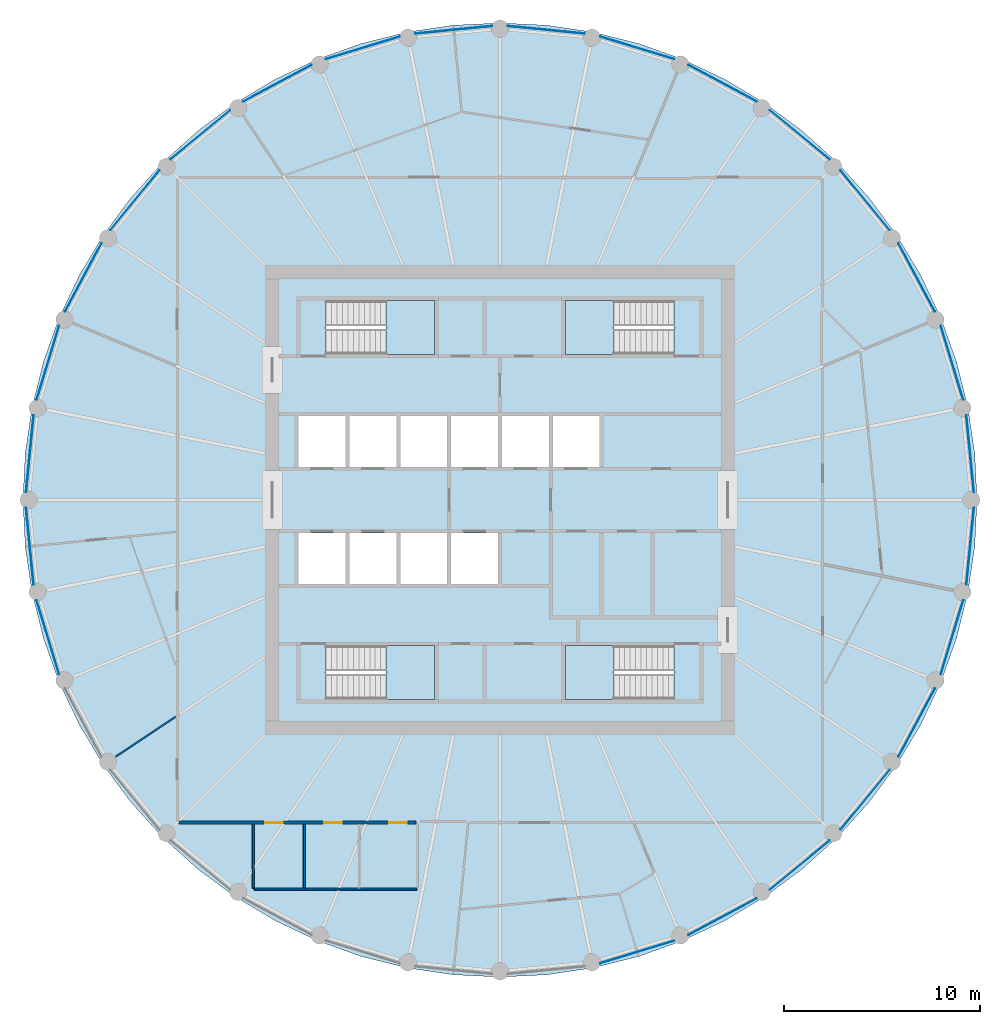
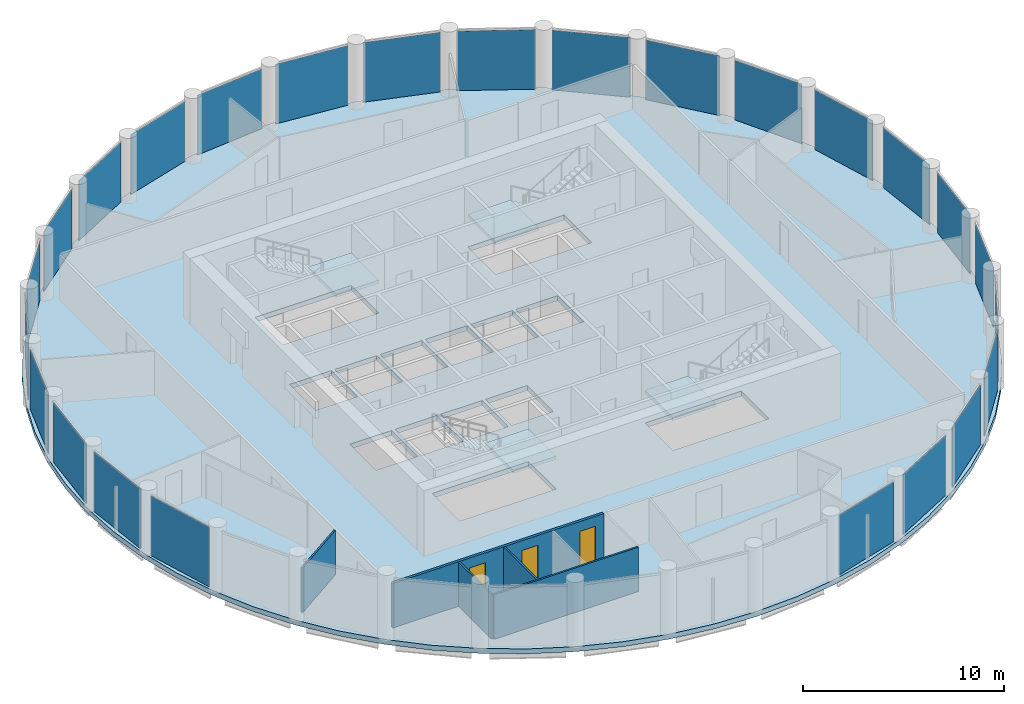
# One storey, part 3 of 8: 25 plates, 5 slabs, 5 walls, 3 doors, 3 openings, 29 elements without a shape of their own.
"""IFC4 building model written with IfcOpenShell, lengths in metres."""

from ifc_helpers import new_model, si_unit, direction, frame, frame_2d, origin, origin_2d, place, context, subcontext, project, spatial, polyline, rectangle, outline, extrude, material, layer, layer_set, type_object, element, fill, aggregate, save


model = new_model("IFC4")

# Units and contexts
model_context = context("Model", 3, precision=1e-05, world=origin(), true_north=direction((0.0, 1.0)))
body_context = subcontext(model_context, "Body", "Model", "MODEL_VIEW")
ifc_project = project(units=[si_unit("LENGTHUNIT", "METRE"), si_unit("AREAUNIT", "SQUARE_METRE"), si_unit("VOLUMEUNIT", "CUBIC_METRE"), si_unit("PLANEANGLEUNIT", "RADIAN"), si_unit("MASSUNIT", "GRAM", prefix="KILO")], contexts=[model_context])

# Site, building, storey
site_placement = place(None, origin())
site = spatial("IfcSite", under=ifc_project, at=site_placement, CompositionType="ELEMENT")
building_placement = place(site_placement, origin())
building = spatial("IfcBuilding", under=site, at=building_placement, Name="Corvane Civic Tower", CompositionType="ELEMENT")
storey_placement = place(building_placement, frame((0.0, 0.0, 299.0)))
storey = spatial("IfcBuildingStorey", under=building, at=storey_placement, Name="L71", CompositionType="ELEMENT", Elevation=299.0)

# Slab
ifc_material_1 = material(Name="Concrete C40/50", Category="concrete")
ifc_layer_1 = layer(ifc_material_1, 0.300048828125)
ifc_layer_set_1 = layer_set([ifc_layer_1], Name="Concrete C40/50")
slab_type_1 = type_object("IfcSlabType", Name="FLOOR SLAB 300", PredefinedType="FLOOR", material=ifc_layer_set_1)
slab_1_placement = place(storey_placement, frame((0.0, 0.0, -0.300048828125)))
element("IfcSlab", 1, at=slab_1_placement, inside=storey, type_object=slab_type_1, Name="SLB-L71", PredefinedType="FLOOR", context=body_context, shape_type="SweptSolid", body=[
    extrude(outline(polyline([(0.0, 24.39990234375), (-2.3916015625, 24.282470703125), (-4.76025390625, 23.93115234375), (-7.0830078125, 23.349365234375), (-9.33740234375, 22.542724609375), (-11.502197265625, 21.518798828125), (-13.555908203125, 20.287841796875), (-15.479248046875, 18.861572265625), (-17.25341796875, 17.25341796875), (-18.861572265625, 15.479248046875), (-20.287841796875, 13.555908203125), (-21.518798828125, 11.502197265625), (-22.542724609375, 9.33740234375), (-23.349365234375, 7.0830078125), (-23.93115234375, 4.76025390625), (-24.282470703125, 2.3916015625), (-24.39990234375, 0.0), (-24.282470703125, -2.3916015625), (-23.93115234375, -4.76025390625), (-23.349365234375, -7.0830078125), (-22.542724609375, -9.33740234375), (-21.518798828125, -11.502197265625), (-20.287841796875, -13.555908203125), (-18.861572265625, -15.479248046875), (-17.25341796875, -17.25341796875), (-15.479248046875, -18.861572265625), (-13.555908203125, -20.287841796875), (-11.502197265625, -21.518798828125), (-9.33740234375, -22.542724609375), (-7.0830078125, -23.349365234375), (-4.76025390625, -23.93115234375), (-2.3916015625, -24.282470703125), (0.0, -24.39990234375), (2.3916015625, -24.282470703125), (4.76025390625, -23.93115234375), (7.0830078125, -23.349365234375), (9.33740234375, -22.542724609375), (11.502197265625, -21.518798828125), (13.555908203125, -20.287841796875), (15.479248046875, -18.861572265625), (17.25341796875, -17.25341796875), (18.861572265625, -15.479248046875), (20.287841796875, -13.555908203125), (21.518798828125, -11.502197265625), (22.542724609375, -9.33740234375), (23.349365234375, -7.0830078125), (23.93115234375, -4.76025390625), (24.282470703125, -2.3916015625), (24.39990234375, 0.0), (24.282470703125, 2.3916015625), (23.93115234375, 4.76025390625), (23.349365234375, 7.0830078125), (22.542724609375, 9.33740234375), (21.518798828125, 11.502197265625), (20.287841796875, 13.555908203125), (18.861572265625, 15.479248046875), (17.25341796875, 17.25341796875), (15.479248046875, 18.861572265625), (13.555908203125, 20.287841796875), (11.502197265625, 21.518798828125), (9.33740234375, 22.542724609375), (7.0830078125, 23.349365234375), (4.76025390625, 23.93115234375), (2.3916015625, 24.282470703125), (0.0, 24.39990234375)]), holes=[polyline([(-10.300048828125, 4.300048828125), (-7.89990234375, 4.300048828125), (-7.89990234375, 1.699951171875), (-10.300048828125, 1.699951171875), (-10.300048828125, 4.300048828125)]), polyline([(-7.699951171875, 4.300048828125), (-5.300048828125, 4.300048828125), (-5.300048828125, 1.699951171875), (-7.699951171875, 1.699951171875), (-7.699951171875, 4.300048828125)]), polyline([(-5.10009765625, 4.300048828125), (-2.699951171875, 4.300048828125), (-2.699951171875, 1.699951171875), (-5.10009765625, 1.699951171875), (-5.10009765625, 4.300048828125)]), polyline([(-2.5, 1.699951171875), (-2.5, 4.300048828125), (-0.10009765625, 4.300048828125), (-0.10009765625, 1.699951171875), (-2.5, 1.699951171875)]), polyline([(0.10009765625, 1.699951171875), (0.10009765625, 4.300048828125), (2.5, 4.300048828125), (2.5, 1.699951171875), (0.10009765625, 1.699951171875)]), polyline([(2.699951171875, 1.699951171875), (2.699951171875, 4.300048828125), (5.10009765625, 4.300048828125), (5.10009765625, 1.699951171875), (2.699951171875, 1.699951171875)]), polyline([(-10.300048828125, -4.300048828125), (-10.300048828125, -1.699951171875), (-7.89990234375, -1.699951171875), (-7.89990234375, -4.300048828125), (-10.300048828125, -4.300048828125)]), polyline([(-7.699951171875, -4.300048828125), (-7.699951171875, -1.699951171875), (-5.300048828125, -1.699951171875), (-5.300048828125, -4.300048828125), (-7.699951171875, -4.300048828125)]), polyline([(-5.10009765625, -4.300048828125), (-5.10009765625, -1.699951171875), (-2.699951171875, -1.699951171875), (-2.699951171875, -4.300048828125), (-5.10009765625, -4.300048828125)]), polyline([(-2.5, -4.300048828125), (-2.5, -1.699951171875), (-0.10009765625, -1.699951171875), (-0.10009765625, -4.300048828125), (-2.5, -4.300048828125)]), polyline([(8.889892578125, 10.199951171875), (8.889892578125, 7.449951171875), (3.35009765625, 7.449951171875), (3.35009765625, 10.199951171875), (8.889892578125, 10.199951171875)]), polyline([(-8.889892578125, 7.449951171875), (-8.889892578125, 10.199951171875), (-3.35009765625, 10.199951171875), (-3.35009765625, 7.449951171875), (-8.889892578125, 7.449951171875)]), polyline([(8.889892578125, -7.449951171875), (8.889892578125, -10.199951171875), (3.35009765625, -10.199951171875), (3.35009765625, -7.449951171875), (8.889892578125, -7.449951171875)]), polyline([(-8.889892578125, -10.199951171875), (-8.889892578125, -7.449951171875), (-3.35009765625, -7.449951171875), (-3.35009765625, -10.199951171875), (-8.889892578125, -10.199951171875)])]), origin(), (0.0, 0.0, 1.0), 0.300048828125),
])

# Stair, slab
ifc_material_2 = material(Name="Concrete C40/50", Category="concrete")
stair_type = type_object("IfcStairType", Name="ST-STAIR-HALFTURN", PredefinedType="HALF_TURN_STAIR", material=ifc_material_2)
stair_1_placement = place(storey_placement, origin())
stair_1 = element("IfcStair", 2, at=stair_1_placement, inside=storey, type_object=stair_type, Name="L71 Exit stair ST1", PredefinedType="HALF_TURN_STAIR")
ifc_material_3 = material(Name="Concrete C40/50", Category="concrete")
ifc_layer_2 = layer(ifc_material_3, 0.199951171875)
ifc_layer_set_2 = layer_set([ifc_layer_2], Name="Concrete C40/50")
slab_type_2 = type_object("IfcSlabType", Name="ST-LANDING-RC", PredefinedType="LANDING", material=ifc_layer_set_2)
slab_2_placement = place(storey_placement, frame((0.0, 0.0, 1.800048828125)))
slab_2 = element("IfcSlab", 3, at=slab_2_placement, type_object=slab_type_2, Name="ST1 landing 1", PredefinedType="LANDING", context=body_context, shape_type="SweptSolid", body=[
    extrude(outline(polyline([(5.820068359375, 10.199951171875), (3.35009765625, 10.199951171875), (3.35009765625, 7.449951171875), (5.820068359375, 7.449951171875), (5.820068359375, 10.199951171875)])), origin(), (0.0, 0.0, 1.0), 0.199951171875),
])
aggregate(stair_1, [slab_2])

stair_2_placement = place(storey_placement, origin())
stair_2 = element("IfcStair", 4, at=stair_2_placement, inside=storey, type_object=stair_type, Name="L71 Exit stair ST2", PredefinedType="HALF_TURN_STAIR")
slab_3_placement = place(storey_placement, frame((0.0, 0.0, 1.800048828125)))
slab_3 = element("IfcSlab", 5, at=slab_3_placement, type_object=slab_type_2, Name="ST2 landing 1", PredefinedType="LANDING", context=body_context, shape_type="SweptSolid", body=[
    extrude(outline(polyline([(5.820068359375, -7.449951171875), (3.35009765625, -7.449951171875), (3.35009765625, -10.199951171875), (5.820068359375, -10.199951171875), (5.820068359375, -7.449951171875)])), origin(), (0.0, 0.0, 1.0), 0.199951171875),
])
aggregate(stair_2, [slab_3])

stair_3_placement = place(storey_placement, origin())
stair_3 = element("IfcStair", 6, at=stair_3_placement, inside=storey, type_object=stair_type, Name="L71 Exit stair ST3", PredefinedType="HALF_TURN_STAIR")
slab_4_placement = place(storey_placement, frame((0.0, 0.0, 1.800048828125)))
slab_4 = element("IfcSlab", 7, at=slab_4_placement, type_object=slab_type_2, Name="ST3 landing 1", PredefinedType="LANDING", context=body_context, shape_type="SweptSolid", body=[
    extrude(outline(polyline([(-5.820068359375, -10.199951171875), (-3.35009765625, -10.199951171875), (-3.35009765625, -7.449951171875), (-5.820068359375, -7.449951171875), (-5.820068359375, -10.199951171875)])), origin(), (0.0, 0.0, 1.0), 0.199951171875),
])
aggregate(stair_3, [slab_4])

stair_4_placement = place(storey_placement, origin())
stair_4 = element("IfcStair", 8, at=stair_4_placement, inside=storey, type_object=stair_type, Name="L71 Exit stair ST4", PredefinedType="HALF_TURN_STAIR")
slab_5_placement = place(storey_placement, frame((0.0, 0.0, 1.800048828125)))
slab_5 = element("IfcSlab", 9, at=slab_5_placement, type_object=slab_type_2, Name="ST4 landing 1", PredefinedType="LANDING", context=body_context, shape_type="SweptSolid", body=[
    extrude(outline(polyline([(-5.820068359375, 7.449951171875), (-3.35009765625, 7.449951171875), (-3.35009765625, 10.199951171875), (-5.820068359375, 10.199951171875), (-5.820068359375, 7.449951171875)])), origin(), (0.0, 0.0, 1.0), 0.199951171875),
])
aggregate(stair_4, [slab_5])

# Curtain wall, plate
ifc_material_4 = material(Name="Anodised aluminium bronze", Category="aluminium")
curtain_wall_type = type_object("IfcCurtainWallType", Name="TOWER CW-T3 STICK CURTAIN WALL", PredefinedType="NOTDEFINED", material=ifc_material_4)
curtain_wall_1_placement = place(storey_placement, origin())
curtain_wall_1 = element("IfcCurtainWall", 10, at=curtain_wall_1_placement, inside=storey, type_object=curtain_wall_type, Name="Curtain wall CW-T3 L71 bay 01", PredefinedType="NOTDEFINED")
ifc_material_5 = material(Name="Tinted glass", Category="glass")
ifc_layer_3 = layer(ifc_material_5, 0.028076171875)
ifc_layer_set_3 = layer_set([ifc_layer_3], Name="Tinted glass")
plate_type = type_object("IfcPlateType", Name="TOWER CW-T3 PANEL IGU28", PredefinedType="CURTAIN_PANEL", material=ifc_layer_set_3)
plate_1_placement = place(storey_placement, frame((2.368408203125, 24.046875, 0.0), z_axis=(0.0, 0.0, 1.0), x_axis=(0.99518437747, -0.098020685775, 0.0)))
plate_1 = element("IfcPlate", 11, at=plate_1_placement, type_object=plate_type, Name="Glass panel CW-T3 L71 01.1", PredefinedType="CURTAIN_PANEL", context=body_context, shape_type="SweptSolid", body=[
    extrude(rectangle(XDim=3.958740234375, YDim=0.028076171875, at=origin_2d()), origin(), (0.0, 0.0, 1.0), 3.6298828125),
])
aggregate(curtain_wall_1, [plate_1])

curtain_wall_2_placement = place(storey_placement, origin())
curtain_wall_2 = element("IfcCurtainWall", 12, at=curtain_wall_2_placement, inside=storey, type_object=curtain_wall_type, Name="Curtain wall CW-T3 L71 bay 02", PredefinedType="NOTDEFINED")
plate_2_placement = place(storey_placement, frame((7.01416015625, 23.12255859375, 0.0), z_axis=(0.0, 0.0, 1.0), x_axis=(0.956943694519, -0.290273604586, 0.0)))
plate_2 = element("IfcPlate", 13, at=plate_2_placement, type_object=plate_type, Name="Glass panel CW-T3 L71 02.1", PredefinedType="CURTAIN_PANEL", context=body_context, shape_type="SweptSolid", body=[
    extrude(rectangle(XDim=3.958984375, YDim=0.028076171875, at=origin_2d()), origin(), (0.0, 0.0, 1.0), 3.6298828125),
])
aggregate(curtain_wall_2, [plate_2])

curtain_wall_3_placement = place(storey_placement, origin())
curtain_wall_3 = element("IfcCurtainWall", 14, at=curtain_wall_3_placement, inside=storey, type_object=curtain_wall_type, Name="Curtain wall CW-T3 L71 bay 03", PredefinedType="NOTDEFINED")
plate_3_placement = place(storey_placement, frame((11.390380859375, 21.31005859375, 0.0), z_axis=(0.0, 0.0, 1.0), x_axis=(0.881908138655, -0.471421292448, 0.0)))
plate_3 = element("IfcPlate", 15, at=plate_3_placement, type_object=plate_type, Name="Glass panel CW-T3 L71 03.1", PredefinedType="CURTAIN_PANEL", context=body_context, shape_type="SweptSolid", body=[
    extrude(rectangle(XDim=3.958740234375, YDim=0.028076171875, at=origin_2d()), origin(), (0.0, 0.0, 1.0), 3.6298828125),
])
aggregate(curtain_wall_3, [plate_3])

curtain_wall_4_placement = place(storey_placement, origin())
curtain_wall_4 = element("IfcCurtainWall", 16, at=curtain_wall_4_placement, inside=storey, type_object=curtain_wall_type, Name="Curtain wall CW-T3 L71 bay 04", PredefinedType="NOTDEFINED")
plate_4_placement = place(storey_placement, frame((15.328857421875, 18.67822265625, 0.0), z_axis=(0.0, 0.0, 1.0), x_axis=(0.773001130565, -0.634404643855, 0.0)))
plate_4 = element("IfcPlate", 17, at=plate_4_placement, type_object=plate_type, Name="Glass panel CW-T3 L71 04.1", PredefinedType="CURTAIN_PANEL", context=body_context, shape_type="SweptSolid", body=[
    extrude(rectangle(XDim=3.958740234375, YDim=0.028076171875, at=origin_2d()), origin(), (0.0, 0.0, 1.0), 3.6298828125),
])
aggregate(curtain_wall_4, [plate_4])

curtain_wall_5_placement = place(storey_placement, origin())
curtain_wall_5 = element("IfcCurtainWall", 18, at=curtain_wall_5_placement, inside=storey, type_object=curtain_wall_type, Name="Curtain wall CW-T3 L71 bay 05", PredefinedType="NOTDEFINED")
plate_5_placement = place(storey_placement, frame((18.67822265625, 15.328857421875, 0.0), z_axis=(0.0, 0.0, 1.0), x_axis=(0.634404643855, -0.773001130565, 0.0)))
plate_5 = element("IfcPlate", 19, at=plate_5_placement, type_object=plate_type, Name="Glass panel CW-T3 L71 05.1", PredefinedType="CURTAIN_PANEL", context=body_context, shape_type="SweptSolid", body=[
    extrude(rectangle(XDim=3.958740234375, YDim=0.028076171875, at=origin_2d()), origin(), (0.0, 0.0, 1.0), 3.6298828125),
])
aggregate(curtain_wall_5, [plate_5])

curtain_wall_6_placement = place(storey_placement, origin())
curtain_wall_6 = element("IfcCurtainWall", 20, at=curtain_wall_6_placement, inside=storey, type_object=curtain_wall_type, Name="Curtain wall CW-T3 L71 bay 06", PredefinedType="NOTDEFINED")
plate_6_placement = place(storey_placement, frame((21.31005859375, 11.390380859375, 0.0), z_axis=(0.0, 0.0, 1.0), x_axis=(0.471421292448, -0.881908138655, 0.0)))
plate_6 = element("IfcPlate", 21, at=plate_6_placement, type_object=plate_type, Name="Glass panel CW-T3 L71 06.1", PredefinedType="CURTAIN_PANEL", context=body_context, shape_type="SweptSolid", body=[
    extrude(rectangle(XDim=3.958740234375, YDim=0.028076171875, at=origin_2d()), origin(), (0.0, 0.0, 1.0), 3.6298828125),
])
aggregate(curtain_wall_6, [plate_6])

curtain_wall_7_placement = place(storey_placement, origin())
curtain_wall_7 = element("IfcCurtainWall", 22, at=curtain_wall_7_placement, inside=storey, type_object=curtain_wall_type, Name="Curtain wall CW-T3 L71 bay 07", PredefinedType="NOTDEFINED")
plate_7_placement = place(storey_placement, frame((23.12255859375, 7.01416015625, 0.0), z_axis=(0.0, 0.0, 1.0), x_axis=(0.290273604586, -0.956943694519, 0.0)))
plate_7 = element("IfcPlate", 23, at=plate_7_placement, type_object=plate_type, Name="Glass panel CW-T3 L71 07.1", PredefinedType="CURTAIN_PANEL", context=body_context, shape_type="SweptSolid", body=[
    extrude(rectangle(XDim=3.958984375, YDim=0.028076171875, at=origin_2d()), origin(), (0.0, 0.0, 1.0), 3.6298828125),
])
aggregate(curtain_wall_7, [plate_7])

curtain_wall_8_placement = place(storey_placement, origin())
curtain_wall_8 = element("IfcCurtainWall", 24, at=curtain_wall_8_placement, inside=storey, type_object=curtain_wall_type, Name="Curtain wall CW-T3 L71 bay 08", PredefinedType="NOTDEFINED")
plate_8_placement = place(storey_placement, frame((24.046875, 2.368408203125, 0.0), z_axis=(0.0, 0.0, 1.0), x_axis=(0.098020685775, -0.99518437747, 0.0)))
plate_8 = element("IfcPlate", 25, at=plate_8_placement, type_object=plate_type, Name="Glass panel CW-T3 L71 08.1", PredefinedType="CURTAIN_PANEL", context=body_context, shape_type="SweptSolid", body=[
    extrude(rectangle(XDim=3.958740234375, YDim=0.028076171875, at=origin_2d()), origin(), (0.0, 0.0, 1.0), 3.6298828125),
])
aggregate(curtain_wall_8, [plate_8])

curtain_wall_9_placement = place(storey_placement, origin())
curtain_wall_9 = element("IfcCurtainWall", 26, at=curtain_wall_9_placement, inside=storey, type_object=curtain_wall_type, Name="Curtain wall CW-T3 L71 bay 09", PredefinedType="NOTDEFINED")
plate_9_placement = place(storey_placement, frame((24.046875, -2.368408203125, 0.0), z_axis=(0.0, 0.0, 1.0), x_axis=(-0.098020685775, -0.99518437747, 0.0)))
plate_9 = element("IfcPlate", 27, at=plate_9_placement, type_object=plate_type, Name="Glass panel CW-T3 L71 09.1", PredefinedType="CURTAIN_PANEL", context=body_context, shape_type="SweptSolid", body=[
    extrude(rectangle(XDim=3.958740234375, YDim=0.028076171875, at=origin_2d()), origin(), (0.0, 0.0, 1.0), 3.6298828125),
])
aggregate(curtain_wall_9, [plate_9])

curtain_wall_10_placement = place(storey_placement, origin())
curtain_wall_10 = element("IfcCurtainWall", 28, at=curtain_wall_10_placement, inside=storey, type_object=curtain_wall_type, Name="Curtain wall CW-T3 L71 bay 10", PredefinedType="NOTDEFINED")
plate_10_placement = place(storey_placement, frame((23.12255859375, -7.01416015625, 0.0), z_axis=(0.0, 0.0, 1.0), x_axis=(-0.290273604586, -0.956943694519, 0.0)))
plate_10 = element("IfcPlate", 29, at=plate_10_placement, type_object=plate_type, Name="Glass panel CW-T3 L71 10.1", PredefinedType="CURTAIN_PANEL", context=body_context, shape_type="SweptSolid", body=[
    extrude(rectangle(XDim=3.958984375, YDim=0.028076171875, at=origin_2d()), origin(), (0.0, 0.0, 1.0), 3.6298828125),
])
aggregate(curtain_wall_10, [plate_10])

curtain_wall_11_placement = place(storey_placement, origin())
curtain_wall_11 = element("IfcCurtainWall", 30, at=curtain_wall_11_placement, inside=storey, type_object=curtain_wall_type, Name="Curtain wall CW-T3 L71 bay 11", PredefinedType="NOTDEFINED")
plate_11_placement = place(storey_placement, frame((21.31005859375, -11.390380859375, 0.0), z_axis=(0.0, 0.0, 1.0), x_axis=(-0.471421292448, -0.881908138655, 0.0)))
plate_11 = element("IfcPlate", 31, at=plate_11_placement, type_object=plate_type, Name="Glass panel CW-T3 L71 11.1", PredefinedType="CURTAIN_PANEL", context=body_context, shape_type="SweptSolid", body=[
    extrude(rectangle(XDim=3.958740234375, YDim=0.028076171875, at=origin_2d()), origin(), (0.0, 0.0, 1.0), 3.6298828125),
])
aggregate(curtain_wall_11, [plate_11])

curtain_wall_12_placement = place(storey_placement, origin())
curtain_wall_12 = element("IfcCurtainWall", 32, at=curtain_wall_12_placement, inside=storey, type_object=curtain_wall_type, Name="Curtain wall CW-T3 L71 bay 12", PredefinedType="NOTDEFINED")
plate_12_placement = place(storey_placement, frame((18.67822265625, -15.328857421875, 0.0), z_axis=(0.0, 0.0, 1.0), x_axis=(-0.634404643855, -0.773001130565, 0.0)))
plate_12 = element("IfcPlate", 33, at=plate_12_placement, type_object=plate_type, Name="Glass panel CW-T3 L71 12.1", PredefinedType="CURTAIN_PANEL", context=body_context, shape_type="SweptSolid", body=[
    extrude(rectangle(XDim=3.958740234375, YDim=0.028076171875, at=origin_2d()), origin(), (0.0, 0.0, 1.0), 3.6298828125),
])
aggregate(curtain_wall_12, [plate_12])

curtain_wall_13_placement = place(storey_placement, origin())
curtain_wall_13 = element("IfcCurtainWall", 34, at=curtain_wall_13_placement, inside=storey, type_object=curtain_wall_type, Name="Curtain wall CW-T3 L71 bay 13", PredefinedType="NOTDEFINED")
plate_13_placement = place(storey_placement, frame((15.328857421875, -18.67822265625, 0.0), z_axis=(0.0, 0.0, 1.0), x_axis=(-0.773001130565, -0.634404643855, 0.0)))
plate_13 = element("IfcPlate", 35, at=plate_13_placement, type_object=plate_type, Name="Glass panel CW-T3 L71 13.1", PredefinedType="CURTAIN_PANEL", context=body_context, shape_type="SweptSolid", body=[
    extrude(rectangle(XDim=3.958740234375, YDim=0.028076171875, at=origin_2d()), origin(), (0.0, 0.0, 1.0), 3.6298828125),
])
aggregate(curtain_wall_13, [plate_13])

curtain_wall_14_placement = place(storey_placement, origin())
curtain_wall_14 = element("IfcCurtainWall", 36, at=curtain_wall_14_placement, inside=storey, type_object=curtain_wall_type, Name="Curtain wall CW-T3 L71 bay 14", PredefinedType="NOTDEFINED")
plate_14_placement = place(storey_placement, frame((11.390380859375, -21.31005859375, 0.0), z_axis=(0.0, 0.0, 1.0), x_axis=(-0.881908138655, -0.471421292448, 0.0)))
plate_14 = element("IfcPlate", 37, at=plate_14_placement, type_object=plate_type, Name="Glass panel CW-T3 L71 14.1", PredefinedType="CURTAIN_PANEL", context=body_context, shape_type="SweptSolid", body=[
    extrude(rectangle(XDim=3.958740234375, YDim=0.028076171875, at=origin_2d()), origin(), (0.0, 0.0, 1.0), 3.6298828125),
])
aggregate(curtain_wall_14, [plate_14])

curtain_wall_15_placement = place(storey_placement, origin())
curtain_wall_15 = element("IfcCurtainWall", 38, at=curtain_wall_15_placement, inside=storey, type_object=curtain_wall_type, Name="Curtain wall CW-T3 L71 bay 15", PredefinedType="NOTDEFINED")
plate_15_placement = place(storey_placement, frame((7.01416015625, -23.12255859375, 0.0), z_axis=(0.0, 0.0, 1.0), x_axis=(-0.956943694519, -0.290273604586, 0.0)))
plate_15 = element("IfcPlate", 39, at=plate_15_placement, type_object=plate_type, Name="Glass panel CW-T3 L71 15.1", PredefinedType="CURTAIN_PANEL", context=body_context, shape_type="SweptSolid", body=[
    extrude(rectangle(XDim=3.958984375, YDim=0.028076171875, at=origin_2d()), origin(), (0.0, 0.0, 1.0), 3.6298828125),
])
aggregate(curtain_wall_15, [plate_15])

curtain_wall_16_placement = place(storey_placement, origin())
curtain_wall_16 = element("IfcCurtainWall", 40, at=curtain_wall_16_placement, inside=storey, type_object=curtain_wall_type, Name="Curtain wall CW-T3 L71 bay 23", PredefinedType="NOTDEFINED")
plate_16_placement = place(storey_placement, frame((-23.12255859375, -7.01416015625, 0.0), z_axis=(0.0, 0.0, 1.0), x_axis=(-0.290273604586, 0.956943694519, 0.0)))
plate_16 = element("IfcPlate", 41, at=plate_16_placement, type_object=plate_type, Name="Glass panel CW-T3 L71 23.1", PredefinedType="CURTAIN_PANEL", context=body_context, shape_type="SweptSolid", body=[
    extrude(rectangle(XDim=3.958984375, YDim=0.028076171875, at=origin_2d()), origin(), (0.0, 0.0, 1.0), 3.6298828125),
])
aggregate(curtain_wall_16, [plate_16])

curtain_wall_17_placement = place(storey_placement, origin())
curtain_wall_17 = element("IfcCurtainWall", 42, at=curtain_wall_17_placement, inside=storey, type_object=curtain_wall_type, Name="Curtain wall CW-T3 L71 bay 24", PredefinedType="NOTDEFINED")
plate_17_placement = place(storey_placement, frame((-24.046875, -2.368408203125, 0.0), z_axis=(0.0, 0.0, 1.0), x_axis=(-0.098020685775, 0.99518437747, 0.0)))
plate_17 = element("IfcPlate", 43, at=plate_17_placement, type_object=plate_type, Name="Glass panel CW-T3 L71 24.1", PredefinedType="CURTAIN_PANEL", context=body_context, shape_type="SweptSolid", body=[
    extrude(rectangle(XDim=3.958740234375, YDim=0.028076171875, at=origin_2d()), origin(), (0.0, 0.0, 1.0), 3.6298828125),
])
aggregate(curtain_wall_17, [plate_17])

curtain_wall_18_placement = place(storey_placement, origin())
curtain_wall_18 = element("IfcCurtainWall", 44, at=curtain_wall_18_placement, inside=storey, type_object=curtain_wall_type, Name="Curtain wall CW-T3 L71 bay 25", PredefinedType="NOTDEFINED")
plate_18_placement = place(storey_placement, frame((-24.046875, 2.368408203125, 0.0), z_axis=(0.0, 0.0, 1.0), x_axis=(0.098020685775, 0.99518437747, 0.0)))
plate_18 = element("IfcPlate", 45, at=plate_18_placement, type_object=plate_type, Name="Glass panel CW-T3 L71 25.1", PredefinedType="CURTAIN_PANEL", context=body_context, shape_type="SweptSolid", body=[
    extrude(rectangle(XDim=3.958740234375, YDim=0.028076171875, at=origin_2d()), origin(), (0.0, 0.0, 1.0), 3.6298828125),
])
aggregate(curtain_wall_18, [plate_18])

curtain_wall_19_placement = place(storey_placement, origin())
curtain_wall_19 = element("IfcCurtainWall", 46, at=curtain_wall_19_placement, inside=storey, type_object=curtain_wall_type, Name="Curtain wall CW-T3 L71 bay 26", PredefinedType="NOTDEFINED")
plate_19_placement = place(storey_placement, frame((-23.12255859375, 7.01416015625, 0.0), z_axis=(0.0, 0.0, 1.0), x_axis=(0.290273604586, 0.956943694519, 0.0)))
plate_19 = element("IfcPlate", 47, at=plate_19_placement, type_object=plate_type, Name="Glass panel CW-T3 L71 26.1", PredefinedType="CURTAIN_PANEL", context=body_context, shape_type="SweptSolid", body=[
    extrude(rectangle(XDim=3.958984375, YDim=0.028076171875, at=origin_2d()), origin(), (0.0, 0.0, 1.0), 3.6298828125),
])
aggregate(curtain_wall_19, [plate_19])

curtain_wall_20_placement = place(storey_placement, origin())
curtain_wall_20 = element("IfcCurtainWall", 48, at=curtain_wall_20_placement, inside=storey, type_object=curtain_wall_type, Name="Curtain wall CW-T3 L71 bay 27", PredefinedType="NOTDEFINED")
plate_20_placement = place(storey_placement, frame((-21.31005859375, 11.390380859375, 0.0), z_axis=(0.0, 0.0, 1.0), x_axis=(0.471421292448, 0.881908138655, 0.0)))
plate_20 = element("IfcPlate", 49, at=plate_20_placement, type_object=plate_type, Name="Glass panel CW-T3 L71 27.1", PredefinedType="CURTAIN_PANEL", context=body_context, shape_type="SweptSolid", body=[
    extrude(rectangle(XDim=3.958740234375, YDim=0.028076171875, at=origin_2d()), origin(), (0.0, 0.0, 1.0), 3.6298828125),
])
aggregate(curtain_wall_20, [plate_20])

curtain_wall_21_placement = place(storey_placement, origin())
curtain_wall_21 = element("IfcCurtainWall", 50, at=curtain_wall_21_placement, inside=storey, type_object=curtain_wall_type, Name="Curtain wall CW-T3 L71 bay 28", PredefinedType="NOTDEFINED")
plate_21_placement = place(storey_placement, frame((-18.67822265625, 15.328857421875, 0.0), z_axis=(0.0, 0.0, 1.0), x_axis=(0.634404643855, 0.773001130565, 0.0)))
plate_21 = element("IfcPlate", 51, at=plate_21_placement, type_object=plate_type, Name="Glass panel CW-T3 L71 28.1", PredefinedType="CURTAIN_PANEL", context=body_context, shape_type="SweptSolid", body=[
    extrude(rectangle(XDim=3.958740234375, YDim=0.028076171875, at=origin_2d()), origin(), (0.0, 0.0, 1.0), 3.6298828125),
])
aggregate(curtain_wall_21, [plate_21])

curtain_wall_22_placement = place(storey_placement, origin())
curtain_wall_22 = element("IfcCurtainWall", 52, at=curtain_wall_22_placement, inside=storey, type_object=curtain_wall_type, Name="Curtain wall CW-T3 L71 bay 29", PredefinedType="NOTDEFINED")
plate_22_placement = place(storey_placement, frame((-15.328857421875, 18.67822265625, 0.0), z_axis=(0.0, 0.0, 1.0), x_axis=(0.773001130565, 0.634404643855, 0.0)))
plate_22 = element("IfcPlate", 53, at=plate_22_placement, type_object=plate_type, Name="Glass panel CW-T3 L71 29.1", PredefinedType="CURTAIN_PANEL", context=body_context, shape_type="SweptSolid", body=[
    extrude(rectangle(XDim=3.958740234375, YDim=0.028076171875, at=origin_2d()), origin(), (0.0, 0.0, 1.0), 3.6298828125),
])
aggregate(curtain_wall_22, [plate_22])

curtain_wall_23_placement = place(storey_placement, origin())
curtain_wall_23 = element("IfcCurtainWall", 54, at=curtain_wall_23_placement, inside=storey, type_object=curtain_wall_type, Name="Curtain wall CW-T3 L71 bay 30", PredefinedType="NOTDEFINED")
plate_23_placement = place(storey_placement, frame((-11.390380859375, 21.31005859375, 0.0), z_axis=(0.0, 0.0, 1.0), x_axis=(0.881908138655, 0.471421292448, 0.0)))
plate_23 = element("IfcPlate", 55, at=plate_23_placement, type_object=plate_type, Name="Glass panel CW-T3 L71 30.1", PredefinedType="CURTAIN_PANEL", context=body_context, shape_type="SweptSolid", body=[
    extrude(rectangle(XDim=3.958740234375, YDim=0.028076171875, at=origin_2d()), origin(), (0.0, 0.0, 1.0), 3.6298828125),
])
aggregate(curtain_wall_23, [plate_23])

curtain_wall_24_placement = place(storey_placement, origin())
curtain_wall_24 = element("IfcCurtainWall", 56, at=curtain_wall_24_placement, inside=storey, type_object=curtain_wall_type, Name="Curtain wall CW-T3 L71 bay 31", PredefinedType="NOTDEFINED")
plate_24_placement = place(storey_placement, frame((-7.01416015625, 23.12255859375, 0.0), z_axis=(0.0, 0.0, 1.0), x_axis=(0.956943694519, 0.290273604586, 0.0)))
plate_24 = element("IfcPlate", 57, at=plate_24_placement, type_object=plate_type, Name="Glass panel CW-T3 L71 31.1", PredefinedType="CURTAIN_PANEL", context=body_context, shape_type="SweptSolid", body=[
    extrude(rectangle(XDim=3.958984375, YDim=0.028076171875, at=origin_2d()), origin(), (0.0, 0.0, 1.0), 3.6298828125),
])
aggregate(curtain_wall_24, [plate_24])

curtain_wall_25_placement = place(storey_placement, origin())
curtain_wall_25 = element("IfcCurtainWall", 58, at=curtain_wall_25_placement, inside=storey, type_object=curtain_wall_type, Name="Curtain wall CW-T3 L71 bay 32", PredefinedType="NOTDEFINED")
plate_25_placement = place(storey_placement, frame((-2.368408203125, 24.046875, 0.0), z_axis=(0.0, 0.0, 1.0), x_axis=(0.99518437747, 0.098020685775, 0.0)))
plate_25 = element("IfcPlate", 59, at=plate_25_placement, type_object=plate_type, Name="Glass panel CW-T3 L71 32.1", PredefinedType="CURTAIN_PANEL", context=body_context, shape_type="SweptSolid", body=[
    extrude(rectangle(XDim=3.958740234375, YDim=0.028076171875, at=origin_2d()), origin(), (0.0, 0.0, 1.0), 3.6298828125),
])
aggregate(curtain_wall_25, [plate_25])

# Walls
ifc_material_6 = material(Name="Plasterboard")
ifc_layer_4 = layer(ifc_material_6, 0.10009765625)
ifc_layer_set_4 = layer_set([ifc_layer_4], Name="Plasterboard")
wall_type_1 = type_object("IfcWallType", Name="Partition 100 plasterboard on studs", PredefinedType="PARTITIONING", material=ifc_layer_set_4)
wall_1_placement = place(storey_placement, frame((-12.558349609375, -19.89990234375, 0.0), z_axis=(0.0, 0.0, 1.0), x_axis=(1.0, 0.0, 0.0)))
element("IfcWall", 60, at=wall_1_placement, inside=storey, type_object=wall_type_1, Name="Partition L71.005", PredefinedType="PARTITIONING", context=body_context, shape_type="SweptSolid", body=[
    extrude(rectangle(XDim=8.300048828125, YDim=0.10009765625, at=frame_2d((4.14990234375, 0.0))), origin(), (0.0, 0.0, 1.0), 2.699951171875),
])
for number, where, z_axis, x_axis, name in (
    (61, (-12.6083984375, -19.85009765625, 0.0), (0.0, 0.0, 1.0), (0.0, 1.0, 0.0), "Partition L71.006"),
    (62, (-10.00830078125, -19.85009765625, 0.0), (0.0, 0.0, 1.0), (0.0, 1.0, 0.0), "Partition L71.007"),
):
    element("IfcWall", number, at=place(storey_placement, frame(where, z_axis=z_axis, x_axis=x_axis)), inside=storey, type_object=wall_type_1, Name=name, PredefinedType="PARTITIONING", context=body_context, shape_type="SweptSolid", body=[
        extrude(rectangle(XDim=3.275146484375, YDim=0.10009765625, at=frame_2d((1.6376953125, 0.0))), origin(), (0.0, 0.0, 1.0), 2.699951171875),
    ])
wall_2_placement = place(storey_placement, frame((-19.656005859375, -13.133544921875, 0.0), z_axis=(0.0, 0.0, 1.0), x_axis=(0.831477046095, 0.555559107402, 0.0)))
element("IfcWall", 63, at=wall_2_placement, inside=storey, type_object=wall_type_1, Name="Partition L71.016", PredefinedType="PARTITIONING", context=body_context, shape_type="SweptSolid", body=[
    extrude(rectangle(XDim=3.672119140625, YDim=0.10009765625, at=frame_2d((1.8359375, 0.0))), origin(), (0.0, 0.0, 1.0), 2.699951171875),
])

# Wall, openings, doors
ifc_material_7 = material(Name="Plasterboard")
ifc_layer_5 = layer(ifc_material_7, 0.14990234375)
ifc_layer_set_5 = layer_set([ifc_layer_5], Name="Plasterboard")
wall_type_2 = type_object("IfcWallType", Name="Tenancy wall 150 EI 60", PredefinedType="PARTITIONING", material=ifc_layer_set_5)
wall_3_placement = place(storey_placement, frame((-16.425048828125, -16.5, 0.0), z_axis=(0.0, 0.0, 1.0), x_axis=(1.0, 0.0, 0.0)))
wall_3 = element("IfcWall", 64, at=wall_3_placement, inside=storey, type_object=wall_type_2, Name="Partition L71.011", PredefinedType="PARTITIONING", context=body_context, shape_type="SweptSolid", body=[
    extrude(rectangle(XDim=12.141845703125, YDim=0.14990234375, at=frame_2d((6.07080078125, 0.0))), origin(), (0.0, 0.0, 1.0), 2.699951171875),
])
opening_1_placement = place(wall_3_placement, frame((10.7607421875, 0.0, 0.0)))
opening_1 = element("IfcOpeningElement", 65, at=opening_1_placement, cuts=wall_3, Name="Opening L71.010", PredefinedType="OPENING", context=body_context, shape_type="SweptSolid", body=[
    extrude(rectangle(XDim=0.89990234375, YDim=2.10009765625, at=frame_2d((0.449951171875, 1.050048828125))), frame((0.0, 0.0849609375, 0.0), z_axis=(0.0, -1.0, 0.0), x_axis=(1.0, 0.0, 0.0)), (0.0, 0.0, 1.0), 0.169921875),
])
opening_2_placement = place(wall_3_placement, frame((7.43798828125, 0.0, 0.0)))
opening_2 = element("IfcOpeningElement", 66, at=opening_2_placement, cuts=wall_3, Name="Opening L71.011", PredefinedType="OPENING", context=body_context, shape_type="SweptSolid", body=[
    extrude(rectangle(XDim=0.89990234375, YDim=2.10009765625, at=frame_2d((0.449951171875, 1.050048828125))), frame((0.0, 0.0849609375, 0.0), z_axis=(0.0, -1.0, 0.0), x_axis=(1.0, 0.0, 0.0)), (0.0, 0.0, 1.0), 0.169921875),
])
opening_3_placement = place(wall_3_placement, frame((4.423583984375, 0.0, 0.0)))
opening_3 = element("IfcOpeningElement", 67, at=opening_3_placement, cuts=wall_3, Name="Opening L71.012", PredefinedType="OPENING", context=body_context, shape_type="SweptSolid", body=[
    extrude(rectangle(XDim=0.89990234375, YDim=2.10009765625, at=frame_2d((0.449951171875, 1.050048828125))), frame((0.0, 0.0849609375, 0.0), z_axis=(0.0, -1.0, 0.0), x_axis=(1.0, 0.0, 0.0)), (0.0, 0.0, 1.0), 0.169921875),
])
ifc_material_8 = material(Name="Steel and timber", Category="steel")
door_type = type_object("IfcDoorType", Name="Fire door FD30S 900", OperationType="NOTDEFINED", PredefinedType="DOOR", material=ifc_material_8)
door_1_placement = place(opening_1_placement, frame((0.89990234375, 0.0, 0.0), z_axis=(0.0, 0.0, 1.0), x_axis=(-1.0, 0.0, 0.0)))
door_1 = element("IfcDoor", 68, at=door_1_placement, inside=storey, type_object=door_type, Name="Door L71.010", OperationType="SINGLE_SWING_LEFT", OverallHeight=2.10009765625, OverallWidth=0.89990234375, PredefinedType="DOOR", context=body_context, shape_type="SweptSolid", body=[
    extrude(rectangle(XDim=0.89990234375, YDim=2.10009765625, at=frame_2d((0.449951171875, 1.050048828125))), frame((0.0, 0.02490234375, 0.0), z_axis=(0.0, -1.0, 0.0), x_axis=(1.0, 0.0, 0.0)), (0.0, 0.0, 1.0), 0.050048828125),
])
fill(opening_1, door_1)
door_2_placement = place(opening_2_placement, frame((0.89990234375, 0.0, 0.0), z_axis=(0.0, 0.0, 1.0), x_axis=(-1.0, 0.0, 0.0)))
door_2 = element("IfcDoor", 69, at=door_2_placement, inside=storey, type_object=door_type, Name="Door L71.011", OperationType="SINGLE_SWING_LEFT", OverallHeight=2.10009765625, OverallWidth=0.89990234375, PredefinedType="DOOR", context=body_context, shape_type="SweptSolid", body=[
    extrude(rectangle(XDim=0.89990234375, YDim=2.10009765625, at=frame_2d((0.449951171875, 1.050048828125))), frame((0.0, 0.02490234375, 0.0), z_axis=(0.0, -1.0, 0.0), x_axis=(1.0, 0.0, 0.0)), (0.0, 0.0, 1.0), 0.050048828125),
])
fill(opening_2, door_2)
door_3_placement = place(opening_3_placement, frame((0.89990234375, 0.0, 0.0), z_axis=(0.0, 0.0, 1.0), x_axis=(-1.0, 0.0, 0.0)))
door_3 = element("IfcDoor", 70, at=door_3_placement, inside=storey, type_object=door_type, Name="Door L71.012", OperationType="SINGLE_SWING_RIGHT", OverallHeight=2.10009765625, OverallWidth=0.89990234375, PredefinedType="DOOR", context=body_context, shape_type="SweptSolid", body=[
    extrude(rectangle(XDim=0.89990234375, YDim=2.10009765625, at=frame_2d((0.449951171875, 1.050048828125))), frame((0.0, 0.02490234375, 0.0), z_axis=(0.0, -1.0, 0.0), x_axis=(1.0, 0.0, 0.0)), (0.0, 0.0, 1.0), 0.050048828125),
])
fill(opening_3, door_3)

save(model, "model.ifc")
